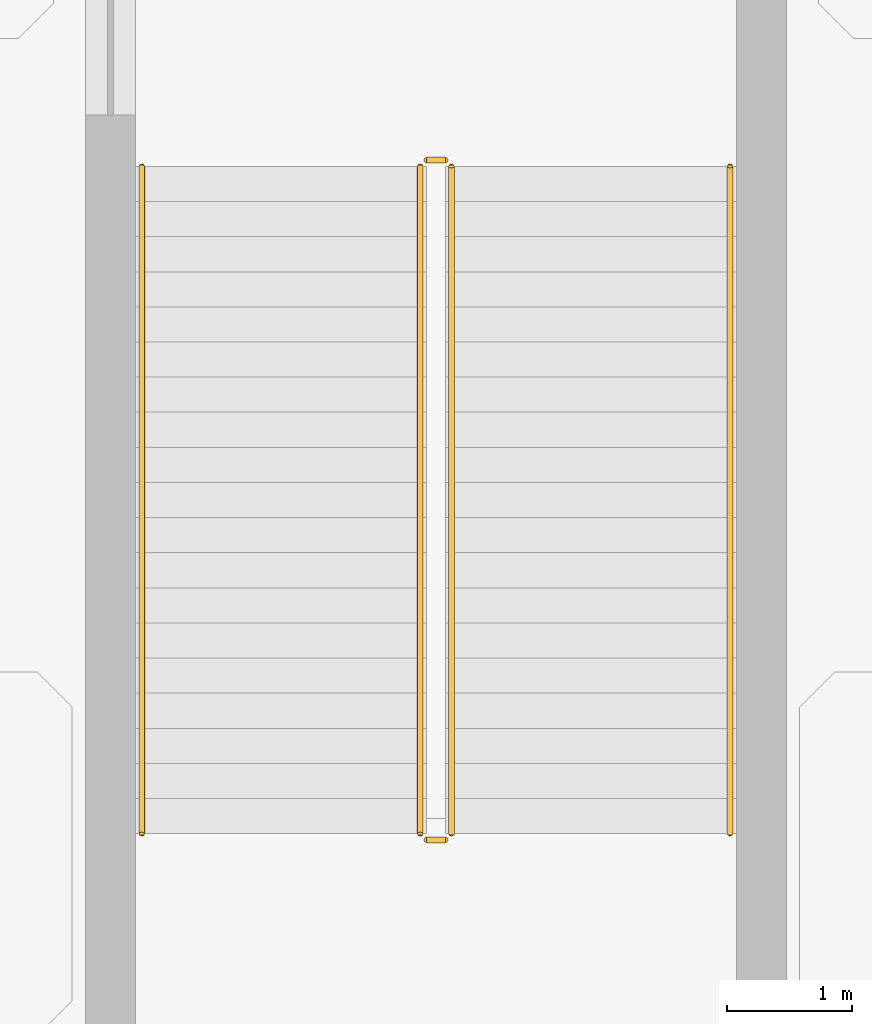
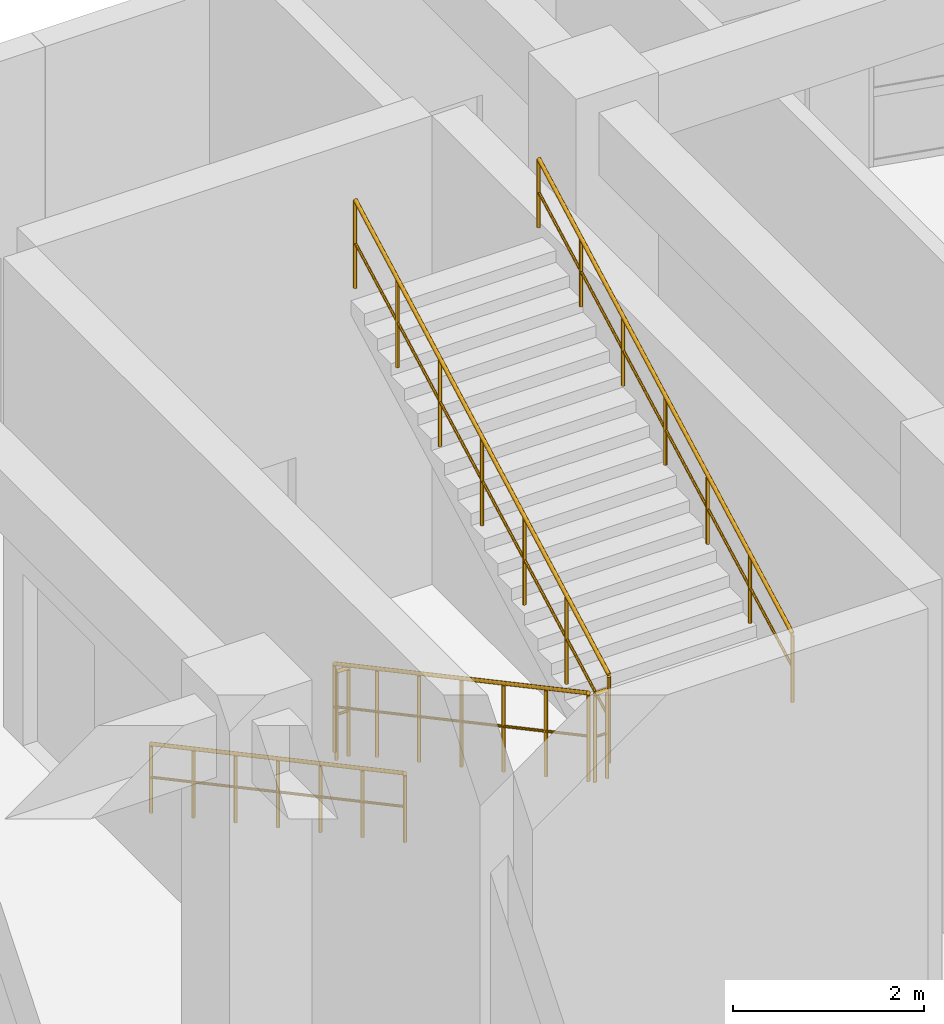
# One storey, part 80 of 82: 6 railings.
"""IFC4 building model written with IfcOpenShell, lengths in metres."""

from ifc_helpers import new_model, si_unit, derived_unit, direction, frame, origin, origin_2d, place, context, subcontext, project, spatial, circle, extrude, material, type_object, element, save


model = new_model("IFC4")

# Units and contexts
model_context = context("Model", 3, precision=1e-05, world=origin(), true_north=direction((0.0, 1.0)))
body_context = subcontext(model_context, "Body", "Model", "MODEL_VIEW")
ifc_project = project(units=[si_unit("LENGTHUNIT", "METRE"), si_unit("AREAUNIT", "SQUARE_METRE"), si_unit("VOLUMEUNIT", "CUBIC_METRE"), si_unit("PLANEANGLEUNIT", "RADIAN"), si_unit("MASSUNIT", "GRAM", prefix="KILO"), derived_unit("THERMALTRANSMITTANCEUNIT", [(si_unit("MASSUNIT", "GRAM", prefix="KILO"), 1), (si_unit("TIMEUNIT", "SECOND"), -3), (si_unit("THERMODYNAMICTEMPERATUREUNIT", "KELVIN"), -1)])], contexts=[model_context])

# Site, building, storey
site_placement = place(None, origin())
site = spatial("IfcSite", under=ifc_project, at=site_placement, CompositionType="ELEMENT")
building_placement = place(site_placement, origin())
building = spatial("IfcBuilding", under=site, at=building_placement, Name="Qinzheling Arcade Emporium", CompositionType="ELEMENT")
storey_placement = place(building_placement, origin())
storey = spatial("IfcBuildingStorey", under=building, at=storey_placement, Name="L01", CompositionType="ELEMENT", Elevation=0.0)

# Railings
ifc_material_1 = material(Name="Galvanised powder-coated tubular steel", Category="steel")
railing_type_1 = type_object("IfcRailingType", Name="Painted Steel Stairwell Guard Railing 1150", PredefinedType="GUARDRAIL", material=ifc_material_1)
railing_1_placement = place(storey_placement, frame((117.324951171875, 104.47998046875, 0.14990234375)))
element("IfcRailing", 1, at=railing_1_placement, inside=storey, type_object=railing_type_1, Name="L01 ST08 stair guard 1", PredefinedType="GUARDRAIL", context=body_context, shape_type="SweptSolid", body=[
    extrude(circle(Radius=0.02392578125, at=origin_2d()), frame((0.0, 0.0, 1.1259765625), z_axis=(0.0, -0.881475760486, 0.472229270245), x_axis=(1.0, 0.0, 0.0)), (0.0, 0.0, 1.0), 6.035400390625),
    extrude(circle(Radius=0.01611328125, at=origin_2d()), frame((0.0, 0.0, 0.574951171875), z_axis=(0.0, -0.881475760486, 0.472229270245), x_axis=(1.0, 0.0, 0.0)), (0.0, 0.0, 1.0), 6.035400390625),
    extrude(circle(Radius=0.02099609375, at=origin_2d()), origin(), (0.0, 0.0, 1.0), 1.101806640625),
    extrude(circle(Radius=0.02099609375, at=origin_2d()), frame((0.0, -0.88671875, 0.47509765625)), (0.0, 0.0, 1.0), 1.101806640625),
    extrude(circle(Radius=0.02099609375, at=origin_2d()), frame((0.0, -1.7734375, 0.949951171875)), (0.0, 0.0, 1.0), 1.101806640625),
    extrude(circle(Radius=0.02099609375, at=origin_2d()), frame((0.0, -2.66015625, 1.425048828125)), (0.0, 0.0, 1.0), 1.101806640625),
    extrude(circle(Radius=0.02099609375, at=origin_2d()), frame((0.0, -3.546630859375, 1.900146484375)), (0.0, 0.0, 1.0), 1.101806640625),
    extrude(circle(Radius=0.02099609375, at=origin_2d()), frame((0.0, -4.433349609375, 2.375)), (0.0, 0.0, 1.0), 1.101806640625),
    extrude(circle(Radius=0.02099609375, at=origin_2d()), frame((0.0, -5.320068359375, 2.85009765625)), (0.0, 0.0, 1.0), 1.101806640625),
])
railing_2_placement = place(storey_placement, frame((117.375, 99.110107421875, 3.0)))
element("IfcRailing", 2, at=railing_2_placement, inside=storey, type_object=railing_type_1, Name="L01 ST08 stair guard 2", PredefinedType="GUARDRAIL", context=body_context, shape_type="SweptSolid", body=[
    extrude(circle(Radius=0.02392578125, at=origin_2d()), frame((0.0, 0.0, 1.1259765625), z_axis=(1.0, 0.0, 0.0), x_axis=(0.0, 1.0, 0.0)), (0.0, 0.0, 1.0), 0.14990234375),
    extrude(circle(Radius=0.01611328125, at=origin_2d()), frame((0.0, 0.0, 0.574951171875), z_axis=(1.0, 0.0, 0.0), x_axis=(0.0, 1.0, 0.0)), (0.0, 0.0, 1.0), 0.14990234375),
    extrude(circle(Radius=0.02099609375, at=origin_2d()), origin(), (0.0, 0.0, 1.0), 1.101806640625),
    extrude(circle(Radius=0.02099609375, at=origin_2d()), frame((0.14990234375, 0.0, 0.0)), (0.0, 0.0, 1.0), 1.101806640625),
])
railing_3_placement = place(storey_placement, frame((117.574951171875, 99.159912109375, 3.14990234375)))
element("IfcRailing", 3, at=railing_3_placement, inside=storey, type_object=railing_type_1, Name="L01 ST08 stair guard 3", PredefinedType="GUARDRAIL", context=body_context, shape_type="SweptSolid", body=[
    extrude(circle(Radius=0.02392578125, at=origin_2d()), frame((0.0, 0.0, 1.1259765625), z_axis=(0.0, 0.881475760486, 0.472229270245), x_axis=(-1.0, 0.0, 0.0)), (0.0, 0.0, 1.0), 6.035400390625),
    extrude(circle(Radius=0.01611328125, at=origin_2d()), frame((0.0, 0.0, 0.574951171875), z_axis=(0.0, 0.881475760486, 0.472229270245), x_axis=(-1.0, 0.0, 0.0)), (0.0, 0.0, 1.0), 6.035400390625),
    extrude(circle(Radius=0.02099609375, at=origin_2d()), origin(), (0.0, 0.0, 1.0), 1.101806640625),
    extrude(circle(Radius=0.02099609375, at=origin_2d()), frame((0.0, 0.88671875, 0.47509765625)), (0.0, 0.0, 1.0), 1.101806640625),
    extrude(circle(Radius=0.02099609375, at=origin_2d()), frame((0.0, 1.7734375, 0.949951171875)), (0.0, 0.0, 1.0), 1.101806640625),
    extrude(circle(Radius=0.02099609375, at=origin_2d()), frame((0.0, 2.66015625, 1.425048828125)), (0.0, 0.0, 1.0), 1.101806640625),
    extrude(circle(Radius=0.02099609375, at=origin_2d()), frame((0.0, 3.546630859375, 1.900146484375)), (0.0, 0.0, 1.0), 1.101806640625),
    extrude(circle(Radius=0.02099609375, at=origin_2d()), frame((0.0, 4.433349609375, 2.375)), (0.0, 0.0, 1.0), 1.101806640625),
    extrude(circle(Radius=0.02099609375, at=origin_2d()), frame((0.0, 5.320068359375, 2.85009765625)), (0.0, 0.0, 1.0), 1.101806640625),
])
railing_4_placement = place(storey_placement, frame((117.375, 104.530029296875, 0.0)))
element("IfcRailing", 4, at=railing_4_placement, inside=storey, type_object=railing_type_1, Name="L01 ST08 stair guard 4", PredefinedType="GUARDRAIL", context=body_context, shape_type="SweptSolid", body=[
    extrude(circle(Radius=0.02392578125, at=origin_2d()), frame((0.0, 0.0, 1.1259765625), z_axis=(1.0, 0.0, 0.0), x_axis=(0.0, 1.0, 0.0)), (0.0, 0.0, 1.0), 0.14990234375),
    extrude(circle(Radius=0.01611328125, at=origin_2d()), frame((0.0, 0.0, 0.574951171875), z_axis=(1.0, 0.0, 0.0), x_axis=(0.0, 1.0, 0.0)), (0.0, 0.0, 1.0), 0.14990234375),
    extrude(circle(Radius=0.02099609375, at=origin_2d()), origin(), (0.0, 0.0, 1.0), 1.101806640625),
    extrude(circle(Radius=0.02099609375, at=origin_2d()), frame((0.14990234375, 0.0, 0.0)), (0.0, 0.0, 1.0), 1.101806640625),
])
ifc_material_2 = material(Name="Brushed stainless steel 304", Category="steel")
railing_type_2 = type_object("IfcRailingType", Name="Stainless Steel Wall Handrail 900", PredefinedType="HANDRAIL", material=ifc_material_2)
railing_5_placement = place(storey_placement, frame((115.10498046875, 104.47998046875, 0.14990234375)))
element("IfcRailing", 5, at=railing_5_placement, inside=storey, type_object=railing_type_2, Name="L01 ST08 stair handrail 1", PredefinedType="HANDRAIL", context=body_context, shape_type="SweptSolid", body=[
    extrude(circle(Radius=0.02392578125, at=origin_2d()), frame((0.0, 0.0, 0.8759765625), z_axis=(0.0, -0.881475760486, 0.472229270245), x_axis=(1.0, 0.0, 0.0)), (0.0, 0.0, 1.0), 6.035400390625),
    extrude(circle(Radius=0.01611328125, at=origin_2d()), frame((0.0, 0.0, 0.449951171875), z_axis=(0.0, -0.881475760486, 0.472229270245), x_axis=(1.0, 0.0, 0.0)), (0.0, 0.0, 1.0), 6.035400390625),
    extrude(circle(Radius=0.02099609375, at=origin_2d()), origin(), (0.0, 0.0, 1.0), 0.851806640625),
    extrude(circle(Radius=0.02099609375, at=origin_2d()), frame((0.0, -0.88671875, 0.47509765625)), (0.0, 0.0, 1.0), 0.851806640625),
    extrude(circle(Radius=0.02099609375, at=origin_2d()), frame((0.0, -1.7734375, 0.949951171875)), (0.0, 0.0, 1.0), 0.851806640625),
    extrude(circle(Radius=0.02099609375, at=origin_2d()), frame((0.0, -2.66015625, 1.425048828125)), (0.0, 0.0, 1.0), 0.851806640625),
    extrude(circle(Radius=0.02099609375, at=origin_2d()), frame((0.0, -3.546630859375, 1.900146484375)), (0.0, 0.0, 1.0), 0.851806640625),
    extrude(circle(Radius=0.02099609375, at=origin_2d()), frame((0.0, -4.433349609375, 2.375)), (0.0, 0.0, 1.0), 0.851806640625),
    extrude(circle(Radius=0.02099609375, at=origin_2d()), frame((0.0, -5.320068359375, 2.85009765625)), (0.0, 0.0, 1.0), 0.851806640625),
])
railing_6_placement = place(storey_placement, frame((119.794921875, 99.159912109375, 3.14990234375)))
element("IfcRailing", 6, at=railing_6_placement, inside=storey, type_object=railing_type_2, Name="L01 ST08 stair handrail 2", PredefinedType="HANDRAIL", context=body_context, shape_type="SweptSolid", body=[
    extrude(circle(Radius=0.02392578125, at=origin_2d()), frame((0.0, 0.0, 0.8759765625), z_axis=(0.0, 0.881475760486, 0.472229270245), x_axis=(-1.0, 0.0, 0.0)), (0.0, 0.0, 1.0), 6.035400390625),
    extrude(circle(Radius=0.01611328125, at=origin_2d()), frame((0.0, 0.0, 0.449951171875), z_axis=(0.0, 0.881475760486, 0.472229270245), x_axis=(-1.0, 0.0, 0.0)), (0.0, 0.0, 1.0), 6.035400390625),
    extrude(circle(Radius=0.02099609375, at=origin_2d()), origin(), (0.0, 0.0, 1.0), 0.851806640625),
    extrude(circle(Radius=0.02099609375, at=origin_2d()), frame((0.0, 0.88671875, 0.47509765625)), (0.0, 0.0, 1.0), 0.851806640625),
    extrude(circle(Radius=0.02099609375, at=origin_2d()), frame((0.0, 1.7734375, 0.949951171875)), (0.0, 0.0, 1.0), 0.851806640625),
    extrude(circle(Radius=0.02099609375, at=origin_2d()), frame((0.0, 2.66015625, 1.425048828125)), (0.0, 0.0, 1.0), 0.851806640625),
    extrude(circle(Radius=0.02099609375, at=origin_2d()), frame((0.0, 3.546630859375, 1.900146484375)), (0.0, 0.0, 1.0), 0.851806640625),
    extrude(circle(Radius=0.02099609375, at=origin_2d()), frame((0.0, 4.433349609375, 2.375)), (0.0, 0.0, 1.0), 0.851806640625),
    extrude(circle(Radius=0.02099609375, at=origin_2d()), frame((0.0, 5.320068359375, 2.85009765625)), (0.0, 0.0, 1.0), 0.851806640625),
])

save(model, "model.ifc")
